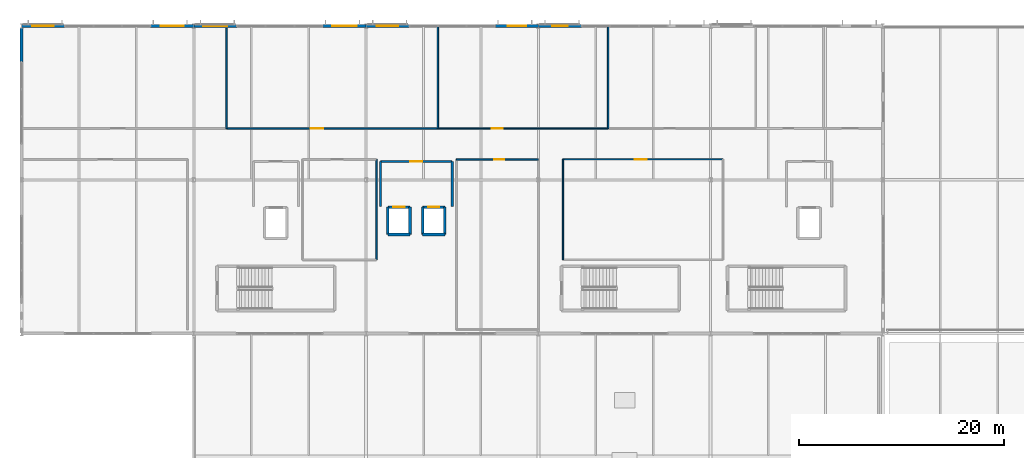
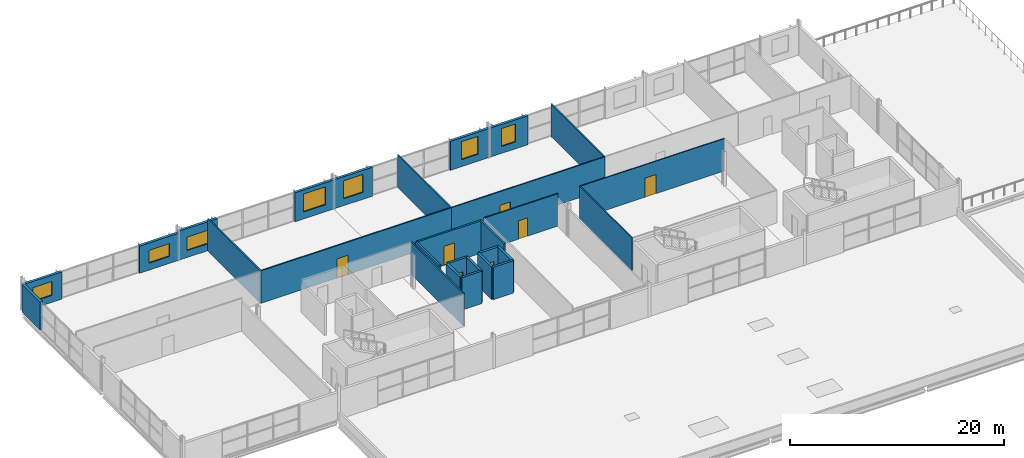
# One storey, part 30 of 36: 28 walls, 7 doors, 7 windows, 14 openings.
"""IFC4 building model written with IfcOpenShell, lengths in metres."""

from ifc_helpers import new_model, si_unit, direction, frame, frame_2d, origin, place, context, subcontext, project, spatial, rectangle, extrude, material, layer, layer_set, type_object, element, fill, save


model = new_model("IFC4")

# Units and contexts
model_context = context("Model", 3, precision=1e-05, world=origin(), true_north=direction((0.0, 1.0)))
body_context = subcontext(model_context, "Body", "Model", "MODEL_VIEW")
ifc_project = project(units=[si_unit("LENGTHUNIT", "METRE"), si_unit("AREAUNIT", "SQUARE_METRE"), si_unit("VOLUMEUNIT", "CUBIC_METRE"), si_unit("PLANEANGLEUNIT", "RADIAN"), si_unit("MASSUNIT", "GRAM", prefix="KILO")], contexts=[model_context])

# Site, building, storey
site_placement = place(None, origin())
site = spatial("IfcSite", under=ifc_project, at=site_placement, CompositionType="ELEMENT")
building_placement = place(site_placement, origin())
building = spatial("IfcBuilding", under=site, at=building_placement, Name="Kimbaza Rail Terminus", CompositionType="ELEMENT")
storey_placement = place(building_placement, frame((0.0, 0.0, 21.0)))
storey = spatial("IfcBuildingStorey", under=building, at=storey_placement, Name="L04", CompositionType="ELEMENT", Elevation=21.0)

# Wall, opening, window
ifc_material_1 = material(Name="Precast concrete C40/50", Category="concrete")
ifc_layer_1 = layer(ifc_material_1, 0.280029296875)
ifc_layer_set_1 = layer_set([ifc_layer_1], Name="Precast concrete C40/50")
wall_type_1 = type_object("IfcWallType", Name="ARC-WL-EXT280", PredefinedType="STANDARD", material=ifc_layer_set_1)
wall_1_placement = place(storey_placement, frame((55.199951171875, 133.0, 0.0), z_axis=(0.0, 0.0, 1.0), x_axis=(1.0, 0.0, 0.0)))
wall_1 = element("IfcWall", 1, at=wall_1_placement, inside=storey, type_object=wall_type_1, Name="Operations North Pier L04 0A", PredefinedType="STANDARD", context=body_context, shape_type="SweptSolid", body=[
    extrude(rectangle(XDim=4.199951171875, YDim=0.280029296875, at=frame_2d((2.10009765625, 0.0))), origin(), (0.0, 0.0, 1.0), 3.10498046875),
])
opening_1_placement = place(wall_1_placement, frame((1.06005859375, 0.0, 0.800048828125)))
opening_1 = element("IfcOpeningElement", 2, at=opening_1_placement, cuts=wall_1, Name="Opening W-44", PredefinedType="OPENING", context=body_context, shape_type="SweptSolid", body=[
    extrude(rectangle(XDim=2.080078125, YDim=1.590087890625, at=frame_2d((1.0400390625, 0.794921875))), frame((0.0, 0.14990234375, 0.0), z_axis=(0.0, -1.0, 0.0), x_axis=(1.0, 0.0, 0.0)), (0.0, 0.0, 1.0), 0.300048828125),
])
ifc_material_2 = material(Name="Thermally broken aluminium and solar low-E glass", Category="aluminium")
window_type_1 = type_object("IfcWindowType", Name="ARC-WIN-W-44", PartitioningType="SINGLE_PANEL", PredefinedType="WINDOW", material=ifc_material_2)
window_1_placement = place(opening_1_placement, origin())
window_1 = element("IfcWindow", 3, at=window_1_placement, inside=storey, type_object=window_type_1, Name="North Facade Window W-44", OverallHeight=1.590087890625, OverallWidth=2.080078125, PartitioningType="SINGLE_PANEL", PredefinedType="WINDOW", context=body_context, shape_type="SweptSolid", body=[
    extrude(rectangle(XDim=2.080078125, YDim=1.590087890625, at=frame_2d((1.0400390625, 0.794921875))), frame((0.0, 0.030029296875, 0.0), z_axis=(0.0, -1.0, 0.0), x_axis=(1.0, 0.0, 0.0)), (0.0, 0.0, 1.0), 0.06005859375),
])
fill(opening_1, window_1)

wall_2_placement = place(storey_placement, frame((67.800048828125, 133.0, 0.0), z_axis=(0.0, 0.0, 1.0), x_axis=(1.0, 0.0, 0.0)))
wall_2 = element("IfcWall", 4, at=wall_2_placement, inside=storey, type_object=wall_type_1, Name="Operations North Pier L04 0B", PredefinedType="STANDARD", context=body_context, shape_type="SweptSolid", body=[
    extrude(rectangle(XDim=4.199951171875, YDim=0.280029296875, at=frame_2d((2.10009765625, 0.0))), origin(), (0.0, 0.0, 1.0), 3.10498046875),
])
opening_2_placement = place(wall_2_placement, frame((0.989990234375, 0.0, 0.800048828125)))
opening_2 = element("IfcOpeningElement", 5, at=opening_2_placement, cuts=wall_2, Name="Opening W-45", PredefinedType="OPENING", context=body_context, shape_type="SweptSolid", body=[
    extrude(rectangle(XDim=2.219970703125, YDim=1.469970703125, at=frame_2d((1.10986328125, 0.73486328125))), frame((0.0, 0.14990234375, 0.0), z_axis=(0.0, -1.0, 0.0), x_axis=(1.0, 0.0, 0.0)), (0.0, 0.0, 1.0), 0.300048828125),
])
ifc_material_3 = material(Name="Thermally broken aluminium and solar low-E glass", Category="aluminium")
window_type_2 = type_object("IfcWindowType", Name="ARC-WIN-W-45", PartitioningType="SINGLE_PANEL", PredefinedType="WINDOW", material=ifc_material_3)
window_2_placement = place(opening_2_placement, origin())
window_2 = element("IfcWindow", 6, at=window_2_placement, inside=storey, type_object=window_type_2, Name="North Facade Window W-45", OverallHeight=1.469970703125, OverallWidth=2.219970703125, PartitioningType="SINGLE_PANEL", PredefinedType="WINDOW", context=body_context, shape_type="SweptSolid", body=[
    extrude(rectangle(XDim=2.219970703125, YDim=1.469970703125, at=frame_2d((1.10986328125, 0.73486328125))), frame((0.0, 0.030029296875, 0.0), z_axis=(0.0, -1.0, 0.0), x_axis=(1.0, 0.0, 0.0)), (0.0, 0.0, 1.0), 0.06005859375),
])
fill(opening_2, window_2)

wall_3_placement = place(storey_placement, frame((72.0, 133.0, 0.0), z_axis=(0.0, 0.0, 1.0), x_axis=(1.0, 0.0, 0.0)))
wall_3 = element("IfcWall", 7, at=wall_3_placement, inside=storey, type_object=wall_type_1, Name="Operations North Pier L04 1A", PredefinedType="STANDARD", context=body_context, shape_type="SweptSolid", body=[
    extrude(rectangle(XDim=4.199951171875, YDim=0.280029296875, at=frame_2d((2.10009765625, 0.0))), origin(), (0.0, 0.0, 1.0), 3.31494140625),
])
opening_3_placement = place(wall_3_placement, frame((0.919921875, 0.0, 0.800048828125)))
opening_3 = element("IfcOpeningElement", 8, at=opening_3_placement, cuts=wall_3, Name="Opening W-46", PredefinedType="OPENING", context=body_context, shape_type="SweptSolid", body=[
    extrude(rectangle(XDim=2.360107421875, YDim=1.530029296875, at=frame_2d((1.18017578125, 0.76513671875))), frame((0.0, 0.14990234375, 0.0), z_axis=(0.0, -1.0, 0.0), x_axis=(1.0, 0.0, 0.0)), (0.0, 0.0, 1.0), 0.300048828125),
])
ifc_material_4 = material(Name="Thermally broken aluminium and solar low-E glass", Category="aluminium")
window_type_3 = type_object("IfcWindowType", Name="ARC-WIN-W-46", PartitioningType="SINGLE_PANEL", PredefinedType="WINDOW", material=ifc_material_4)
window_3_placement = place(opening_3_placement, origin())
window_3 = element("IfcWindow", 9, at=window_3_placement, inside=storey, type_object=window_type_3, Name="North Facade Window W-46", OverallHeight=1.530029296875, OverallWidth=2.360107421875, PartitioningType="SINGLE_PANEL", PredefinedType="WINDOW", context=body_context, shape_type="SweptSolid", body=[
    extrude(rectangle(XDim=2.360107421875, YDim=1.530029296875, at=frame_2d((1.18017578125, 0.76513671875))), frame((0.0, 0.030029296875, 0.0), z_axis=(0.0, -1.0, 0.0), x_axis=(1.0, 0.0, 0.0)), (0.0, 0.0, 1.0), 0.06005859375),
])
fill(opening_3, window_3)

wall_4_placement = place(storey_placement, frame((84.60009765625, 133.0, 0.0), z_axis=(0.0, 0.0, 1.0), x_axis=(1.0, 0.0, 0.0)))
wall_4 = element("IfcWall", 10, at=wall_4_placement, inside=storey, type_object=wall_type_1, Name="Operations North Pier L04 1B", PredefinedType="STANDARD", context=body_context, shape_type="SweptSolid", body=[
    extrude(rectangle(XDim=4.199951171875, YDim=0.280029296875, at=frame_2d((2.10009765625, 0.0))), origin(), (0.0, 0.0, 1.0), 3.31494140625),
])
opening_4_placement = place(wall_4_placement, frame((0.89990234375, 0.0, 0.800048828125)))
opening_4 = element("IfcOpeningElement", 11, at=opening_4_placement, cuts=wall_4, Name="Opening W-01", PredefinedType="OPENING", context=body_context, shape_type="SweptSolid", body=[
    extrude(rectangle(XDim=2.39990234375, YDim=2.050048828125, at=frame_2d((1.199951171875, 1.02490234375))), frame((0.0, 0.14990234375, 0.0), z_axis=(0.0, -1.0, 0.0), x_axis=(1.0, 0.0, 0.0)), (0.0, 0.0, 1.0), 0.300048828125),
])
ifc_material_5 = material(Name="Thermally broken aluminium and solar low-E glass", Category="aluminium")
window_type_4 = type_object("IfcWindowType", Name="ARC-WIN-W-01", PartitioningType="SINGLE_PANEL", PredefinedType="WINDOW", material=ifc_material_5)
window_4_placement = place(opening_4_placement, origin())
window_4 = element("IfcWindow", 12, at=window_4_placement, inside=storey, type_object=window_type_4, Name="North Facade Window W-01", OverallHeight=2.050048828125, OverallWidth=2.39990234375, PartitioningType="SINGLE_PANEL", PredefinedType="WINDOW", context=body_context, shape_type="SweptSolid", body=[
    extrude(rectangle(XDim=2.39990234375, YDim=2.050048828125, at=frame_2d((1.199951171875, 1.02490234375))), frame((0.0, 0.030029296875, 0.0), z_axis=(0.0, -1.0, 0.0), x_axis=(1.0, 0.0, 0.0)), (0.0, 0.0, 1.0), 0.06005859375),
])
fill(opening_4, window_4)

wall_5_placement = place(storey_placement, frame((88.800048828125, 133.0, 0.0), z_axis=(0.0, 0.0, 1.0), x_axis=(1.0, 0.0, 0.0)))
wall_5 = element("IfcWall", 13, at=wall_5_placement, inside=storey, type_object=wall_type_1, Name="Operations North Pier L04 2A", PredefinedType="STANDARD", context=body_context, shape_type="SweptSolid", body=[
    extrude(rectangle(XDim=4.199951171875, YDim=0.280029296875, at=frame_2d((2.10009765625, 0.0))), origin(), (0.0, 0.0, 1.0), 3.31494140625),
])
opening_5_placement = place(wall_5_placement, frame((1.050048828125, 0.0, 0.800048828125)))
opening_5 = element("IfcOpeningElement", 14, at=opening_5_placement, cuts=wall_5, Name="Opening W-02", PredefinedType="OPENING", context=body_context, shape_type="SweptSolid", body=[
    extrude(rectangle(XDim=2.10009765625, YDim=2.050048828125, at=frame_2d((1.050048828125, 1.02490234375))), frame((0.0, 0.14990234375, 0.0), z_axis=(0.0, -1.0, 0.0), x_axis=(1.0, 0.0, 0.0)), (0.0, 0.0, 1.0), 0.300048828125),
])
ifc_material_6 = material(Name="Thermally broken aluminium and solar low-E glass", Category="aluminium")
window_type_5 = type_object("IfcWindowType", Name="ARC-WIN-W-02", PartitioningType="SINGLE_PANEL", PredefinedType="WINDOW", material=ifc_material_6)
window_5_placement = place(opening_5_placement, origin())
window_5 = element("IfcWindow", 15, at=window_5_placement, inside=storey, type_object=window_type_5, Name="North Facade Window W-02", OverallHeight=2.050048828125, OverallWidth=2.10009765625, PartitioningType="SINGLE_PANEL", PredefinedType="WINDOW", context=body_context, shape_type="SweptSolid", body=[
    extrude(rectangle(XDim=2.10009765625, YDim=2.050048828125, at=frame_2d((1.050048828125, 1.02490234375))), frame((0.0, 0.030029296875, 0.0), z_axis=(0.0, -1.0, 0.0), x_axis=(1.0, 0.0, 0.0)), (0.0, 0.0, 1.0), 0.06005859375),
])
fill(opening_5, window_5)

wall_6_placement = place(storey_placement, frame((101.39990234375, 133.0, 0.0), z_axis=(0.0, 0.0, 1.0), x_axis=(1.0, 0.0, 0.0)))
wall_6 = element("IfcWall", 16, at=wall_6_placement, inside=storey, type_object=wall_type_1, Name="Operations North Pier L04 2B", PredefinedType="STANDARD", context=body_context, shape_type="SweptSolid", body=[
    extrude(rectangle(XDim=4.2001953125, YDim=0.280029296875, at=frame_2d((2.10009765625, 0.0))), origin(), (0.0, 0.0, 1.0), 3.31494140625),
])
opening_6_placement = place(wall_6_placement, frame((1.199951171875, 0.0, 0.800048828125)))
opening_6 = element("IfcOpeningElement", 17, at=opening_6_placement, cuts=wall_6, Name="Opening W-03", PredefinedType="OPENING", context=body_context, shape_type="SweptSolid", body=[
    extrude(rectangle(XDim=1.800048828125, YDim=2.050048828125, at=frame_2d((0.89990234375, 1.02490234375))), frame((0.0, 0.14990234375, 0.0), z_axis=(0.0, -1.0, 0.0), x_axis=(1.0, 0.0, 0.0)), (0.0, 0.0, 1.0), 0.300048828125),
])
ifc_material_7 = material(Name="Thermally broken aluminium and solar low-E glass", Category="aluminium")
window_type_6 = type_object("IfcWindowType", Name="ARC-WIN-W-03", PartitioningType="SINGLE_PANEL", PredefinedType="WINDOW", material=ifc_material_7)
window_6_placement = place(opening_6_placement, origin())
window_6 = element("IfcWindow", 18, at=window_6_placement, inside=storey, type_object=window_type_6, Name="North Facade Window W-03", OverallHeight=2.050048828125, OverallWidth=1.800048828125, PartitioningType="SINGLE_PANEL", PredefinedType="WINDOW", context=body_context, shape_type="SweptSolid", body=[
    extrude(rectangle(XDim=1.800048828125, YDim=2.050048828125, at=frame_2d((0.89990234375, 1.02490234375))), frame((0.0, 0.030029296875, 0.0), z_axis=(0.0, -1.0, 0.0), x_axis=(1.0, 0.0, 0.0)), (0.0, 0.0, 1.0), 0.06005859375),
])
fill(opening_6, window_6)

wall_7_placement = place(storey_placement, frame((105.60009765625, 133.0, 0.0), z_axis=(0.0, 0.0, 1.0), x_axis=(1.0, 0.0, 0.0)))
wall_7 = element("IfcWall", 19, at=wall_7_placement, inside=storey, type_object=wall_type_1, Name="Operations North Pier L04 3A", PredefinedType="STANDARD", context=body_context, shape_type="SweptSolid", body=[
    extrude(rectangle(XDim=4.199951171875, YDim=0.280029296875, at=frame_2d((2.10009765625, 0.0))), origin(), (0.0, 0.0, 1.0), 3.31494140625),
])
opening_7_placement = place(wall_7_placement, frame((1.35009765625, 0.0, 0.800048828125)))
opening_7 = element("IfcOpeningElement", 20, at=opening_7_placement, cuts=wall_7, Name="Opening W-04", PredefinedType="OPENING", context=body_context, shape_type="SweptSolid", body=[
    extrude(rectangle(XDim=1.5, YDim=2.050048828125, at=frame_2d((0.75, 1.02490234375))), frame((0.0, 0.14990234375, 0.0), z_axis=(0.0, -1.0, 0.0), x_axis=(1.0, 0.0, 0.0)), (0.0, 0.0, 1.0), 0.300048828125),
])
ifc_material_8 = material(Name="Thermally broken aluminium and solar low-E glass", Category="aluminium")
window_type_7 = type_object("IfcWindowType", Name="ARC-WIN-W-04", PartitioningType="SINGLE_PANEL", PredefinedType="WINDOW", material=ifc_material_8)
window_7_placement = place(opening_7_placement, origin())
window_7 = element("IfcWindow", 21, at=window_7_placement, inside=storey, type_object=window_type_7, Name="North Facade Window W-04", OverallHeight=2.050048828125, OverallWidth=1.5, PartitioningType="SINGLE_PANEL", PredefinedType="WINDOW", context=body_context, shape_type="SweptSolid", body=[
    extrude(rectangle(XDim=1.5, YDim=2.050048828125, at=frame_2d((0.75, 1.02490234375))), frame((0.0, 0.030029296875, 0.0), z_axis=(0.0, -1.0, 0.0), x_axis=(1.0, 0.0, 0.0)), (0.0, 0.0, 1.0), 0.06005859375),
])
fill(opening_7, window_7)

# Walls
wall_8_placement = place(storey_placement, frame((55.199951171875, 129.5, 0.0), z_axis=(0.0, 0.0, 1.0), x_axis=(0.0, 1.0, 0.0)))
element("IfcWall", 22, at=wall_8_placement, inside=storey, type_object=wall_type_1, Name="Operations W Corner Wall L04", PredefinedType="STANDARD", context=body_context, shape_type="SweptSolid", body=[
    extrude(rectangle(XDim=3.360107421875, YDim=0.280029296875, at=frame_2d((1.68017578125, 0.0))), origin(), (0.0, 0.0, 1.0), 3.205078125),
])
ifc_material_9 = material(Name="Concrete blockwork C30/37", Category="masonry")
ifc_layer_2 = layer(ifc_material_9, 0.199951171875)
ifc_layer_set_2 = layer_set([ifc_layer_2], Name="Concrete blockwork C30/37")
wall_type_2 = type_object("IfcWallType", Name="ARC-WL-FIRE200", PredefinedType="PARTITIONING", material=ifc_layer_set_2)
wall_9_placement = place(storey_placement, frame((97.199951171875, 115.39990234375, 0.0), z_axis=(0.0, 0.0, 1.0), x_axis=(0.0, 1.0, 0.0)))
element("IfcWall", 23, at=wall_9_placement, inside=storey, type_object=wall_type_2, Name="Operations Lift Lobby L04 Partition (east)", PredefinedType="PARTITIONING", context=body_context, shape_type="SweptSolid", body=[
    extrude(rectangle(XDim=4.400146484375, YDim=0.199951171875, at=frame_2d((2.2001953125, 0.0))), origin(), (0.0, 0.0, 1.0), 3.7099609375),
])

# Wall, opening, door
wall_10_placement = place(storey_placement, frame((97.199951171875, 119.800048828125, 0.0), z_axis=(0.0, 0.0, 1.0), x_axis=(-1.0, 0.0, 0.0)))
wall_10 = element("IfcWall", 24, at=wall_10_placement, inside=storey, type_object=wall_type_2, Name="Operations Lift Lobby L04 Partition (north)", PredefinedType="PARTITIONING", context=body_context, shape_type="SweptSolid", body=[
    extrude(rectangle(XDim=7.0, YDim=0.199951171875, at=frame_2d((3.5, 0.0))), origin(), (0.0, 0.0, 1.0), 3.7099609375),
])
opening_8_placement = place(wall_10_placement, frame((2.925048828125, 0.0, 0.0)))
opening_8 = element("IfcOpeningElement", 25, at=opening_8_placement, cuts=wall_10, Name="Opening FD-03", PredefinedType="OPENING", context=body_context, shape_type="SweptSolid", body=[
    extrude(rectangle(XDim=1.14990234375, YDim=2.199951171875, at=frame_2d((0.574951171875, 1.10009765625))), frame((0.0, 0.10986328125, 0.0), z_axis=(0.0, -1.0, 0.0), x_axis=(1.0, 0.0, 0.0)), (0.0, 0.0, 1.0), 0.219970703125),
])
ifc_material_10 = material(Name="Firefighting lobby self-closing steel door", Category="steel")
door_type_1 = type_object("IfcDoorType", Name="ARC-DR-FD115", OperationType="NOTDEFINED", PredefinedType="DOOR", material=ifc_material_10)
door_1_placement = place(opening_8_placement, origin())
door_1 = element("IfcDoor", 26, at=door_1_placement, inside=storey, type_object=door_type_1, Name="IDR-SPC-LLOB-V5-L04", OperationType="SINGLE_SWING_RIGHT", OverallHeight=2.199951171875, OverallWidth=1.14990234375, PredefinedType="DOOR", context=body_context, shape_type="SweptSolid", body=[
    extrude(rectangle(XDim=1.14990234375, YDim=2.199951171875, at=frame_2d((0.574951171875, 1.10009765625))), frame((0.0, 0.02490234375, 0.0), z_axis=(0.0, -1.0, 0.0), x_axis=(1.0, 0.0, 0.0)), (0.0, 0.0, 1.0), 0.050048828125),
])
fill(opening_8, door_1)

# Wall
wall_11_placement = place(storey_placement, frame((90.199951171875, 119.800048828125, 0.0), z_axis=(0.0, 0.0, 1.0), x_axis=(0.0, -1.0, 0.0)))
element("IfcWall", 27, at=wall_11_placement, inside=storey, type_object=wall_type_2, Name="Operations Lift Lobby L04 Partition (west)", PredefinedType="PARTITIONING", context=body_context, shape_type="SweptSolid", body=[
    extrude(rectangle(XDim=4.400146484375, YDim=0.199951171875, at=frame_2d((2.2001953125, 0.0))), origin(), (0.0, 0.0, 1.0), 3.7099609375),
])

# Wall, opening, door
ifc_material_11 = material(Name="Moisture-resistant stud wall", Category="gypsum")
ifc_layer_3 = layer(ifc_material_11, 0.1201171875)
ifc_layer_set_3 = layer_set([ifc_layer_3], Name="Moisture-resistant stud wall")
wall_type_3 = type_object("IfcWallType", Name="ARC-WL-PART120", PredefinedType="PARTITIONING", material=ifc_layer_set_3)
wall_12_placement = place(storey_placement, frame((123.60009765625, 120.0, 0.0), z_axis=(0.0, 0.0, 1.0), x_axis=(-1.0, 0.0, 0.0)))
wall_12 = element("IfcWall", 28, at=wall_12_placement, inside=storey, type_object=wall_type_3, Name="L04 Rolling Stock Rostering Studio Partition (north)", PredefinedType="PARTITIONING", context=body_context, shape_type="SweptSolid", body=[
    extrude(rectangle(XDim=15.60009765625, YDim=0.1201171875, at=frame_2d((7.800048828125, 0.0))), origin(), (0.0, 0.0, 1.0), 3.7099609375),
])
opening_9_placement = place(wall_12_placement, frame((7.409912109375, 0.0, 0.0)))
opening_9 = element("IfcOpeningElement", 29, at=opening_9_placement, cuts=wall_12, Name="Opening ID-11", PredefinedType="OPENING", context=body_context, shape_type="SweptSolid", body=[
    extrude(rectangle(XDim=1.179931640625, YDim=2.179931640625, at=frame_2d((0.58984375, 1.08984375))), frame((0.0, 0.070068359375, 0.0), z_axis=(0.0, -1.0, 0.0), x_axis=(1.0, 0.0, 0.0)), (0.0, 0.0, 1.0), 0.14013671875),
])
ifc_material_12 = material(Name="Broadcast studio acoustic door", Category="wood")
door_type_2 = type_object("IfcDoorType", Name="ARC-DR-ID118", OperationType="NOTDEFINED", PredefinedType="DOOR", material=ifc_material_12)
door_2_placement = place(opening_9_placement, origin())
door_2 = element("IfcDoor", 30, at=door_2_placement, inside=storey, type_object=door_type_2, Name="IDR-SPC-V5S-L04-4", OperationType="SINGLE_SWING_RIGHT", OverallHeight=2.179931640625, OverallWidth=1.179931640625, PredefinedType="DOOR", context=body_context, shape_type="SweptSolid", body=[
    extrude(rectangle(XDim=1.179931640625, YDim=2.179931640625, at=frame_2d((0.58984375, 1.08984375))), frame((0.0, 0.02490234375, 0.0), z_axis=(0.0, -1.0, 0.0), x_axis=(1.0, 0.0, 0.0)), (0.0, 0.0, 1.0), 0.050048828125),
])
fill(opening_9, door_2)

# Wall
wall_13_placement = place(storey_placement, frame((108.0, 120.0, 0.0), z_axis=(0.0, 0.0, 1.0), x_axis=(0.0, -1.0, 0.0)))
element("IfcWall", 31, at=wall_13_placement, inside=storey, type_object=wall_type_3, Name="L04 Rolling Stock Rostering Studio Partition (west)", PredefinedType="PARTITIONING", context=body_context, shape_type="SweptSolid", body=[
    extrude(rectangle(XDim=9.800048828125, YDim=0.1201171875, at=frame_2d((4.89990234375, 0.0))), origin(), (0.0, 0.0, 1.0), 3.7099609375),
])

# Wall, opening, door
ifc_material_13 = material(Name="Acoustic gypsum stud partition", Category="gypsum")
ifc_layer_4 = layer(ifc_material_13, 0.1298828125)
ifc_layer_set_4 = layer_set([ifc_layer_4], Name="Acoustic gypsum stud partition")
wall_type_4 = type_object("IfcWallType", Name="ARC-WL-PART130", PredefinedType="PARTITIONING", material=ifc_layer_set_4)
wall_14_placement = place(storey_placement, frame((95.800048828125, 123.0, 0.0), z_axis=(0.0, 0.0, 1.0), x_axis=(1.0, 0.0, 0.0)))
wall_14 = element("IfcWall", 32, at=wall_14_placement, inside=storey, type_object=wall_type_4, Name="Signalling Simulator Laboratory Partition (south)", PredefinedType="PARTITIONING", context=body_context, shape_type="SweptSolid", body=[
    extrude(rectangle(XDim=16.599853515625, YDim=0.1298828125, at=frame_2d((8.2998046875, 0.0))), origin(), (0.0, 0.0, 1.0), 3.7099609375),
])
opening_10_placement = place(wall_14_placement, frame((6.35009765625, 0.0, 0.0), z_axis=(0.0, 0.0, 1.0), x_axis=(-1.0, 0.0, 0.0)))
opening_10 = element("IfcOpeningElement", 33, at=opening_10_placement, cuts=wall_14, Name="Opening ID-04", PredefinedType="OPENING", context=body_context, shape_type="SweptSolid", body=[
    extrude(rectangle(XDim=1.10009765625, YDim=2.14990234375, at=frame_2d((0.550048828125, 1.074951171875))), frame((0.0, 0.074951171875, 0.0), z_axis=(0.0, -1.0, 0.0), x_axis=(1.0, 0.0, 0.0)), (0.0, 0.0, 1.0), 0.14990234375),
])
ifc_material_14 = material(Name="Hardwood veneer acoustic office door", Category="wood")
door_type_3 = type_object("IfcDoorType", Name="ARC-DR-ID110", OperationType="NOTDEFINED", PredefinedType="DOOR", material=ifc_material_14)
door_3_placement = place(opening_10_placement, origin())
door_3 = element("IfcDoor", 34, at=door_3_placement, inside=storey, type_object=door_type_3, Name="IDR-SPC-V5N-L04-03", OperationType="SINGLE_SWING_LEFT", OverallHeight=2.14990234375, OverallWidth=1.10009765625, PredefinedType="DOOR", context=body_context, shape_type="SweptSolid", body=[
    extrude(rectangle(XDim=1.10009765625, YDim=2.14990234375, at=frame_2d((0.550048828125, 1.074951171875))), frame((0.0, 0.02490234375, 0.0), z_axis=(0.0, -1.0, 0.0), x_axis=(1.0, 0.0, 0.0)), (0.0, 0.0, 1.0), 0.050048828125),
])
fill(opening_10, door_3)

# Wall
wall_15_placement = place(storey_placement, frame((112.39990234375, 123.0, 0.0), z_axis=(0.0, 0.0, 1.0), x_axis=(0.0, 1.0, 0.0)))
element("IfcWall", 35, at=wall_15_placement, inside=storey, type_object=wall_type_4, Name="Signalling Simulator Laboratory Partition (east)", PredefinedType="PARTITIONING", context=body_context, shape_type="SweptSolid", body=[
    extrude(rectangle(XDim=9.97998046875, YDim=0.1298828125, at=frame_2d((4.989990234375, 0.0))), origin(), (0.0, 0.0, 1.0), 3.7099609375),
])

# Wall, opening, door
wall_16_placement = place(storey_placement, frame((105.60009765625, 120.0, 0.0), z_axis=(0.0, 0.0, 1.0), x_axis=(-1.0, 0.0, 0.0)))
wall_16 = element("IfcWall", 36, at=wall_16_placement, inside=storey, type_object=wall_type_4, Name="L04 Network Dispatch Briefing Room Partition (north)", PredefinedType="PARTITIONING", context=body_context, shape_type="SweptSolid", body=[
    extrude(rectangle(XDim=8.0, YDim=0.1298828125, at=frame_2d((4.0, 0.0))), origin(), (0.0, 0.0, 1.0), 3.7099609375),
])
opening_11_placement = place(wall_16_placement, frame((4.2900390625, 0.0, 0.0), z_axis=(0.0, 0.0, 1.0), x_axis=(-1.0, 0.0, 0.0)))
opening_11 = element("IfcOpeningElement", 37, at=opening_11_placement, cuts=wall_16, Name="Opening ID-10", PredefinedType="OPENING", context=body_context, shape_type="SweptSolid", body=[
    extrude(rectangle(XDim=0.97998046875, YDim=2.10009765625, at=frame_2d((0.489990234375, 1.050048828125))), frame((0.0, 0.074951171875, 0.0), z_axis=(0.0, -1.0, 0.0), x_axis=(1.0, 0.0, 0.0)), (0.0, 0.0, 1.0), 0.14990234375),
])
ifc_material_15 = material(Name="Washroom suite privacy door", Category="wood")
door_type_4 = type_object("IfcDoorType", Name="ARC-DR-ID098", OperationType="NOTDEFINED", PredefinedType="DOOR", material=ifc_material_15)
door_4_placement = place(opening_11_placement, origin())
door_4 = element("IfcDoor", 38, at=door_4_placement, inside=storey, type_object=door_type_4, Name="IDR-SPC-V5S-L04-3", OperationType="SINGLE_SWING_LEFT", OverallHeight=2.10009765625, OverallWidth=0.97998046875, PredefinedType="DOOR", context=body_context, shape_type="SweptSolid", body=[
    extrude(rectangle(XDim=0.97998046875, YDim=2.10009765625, at=frame_2d((0.489990234375, 1.050048828125))), frame((0.0, 0.02490234375, 0.0), z_axis=(0.0, -1.0, 0.0), x_axis=(1.0, 0.0, 0.0)), (0.0, 0.0, 1.0), 0.050048828125),
])
fill(opening_11, door_4)

ifc_material_16 = material(Name="Acoustic gypsum stud partition", Category="gypsum")
ifc_layer_5 = layer(ifc_material_16, 0.139892578125)
ifc_layer_set_5 = layer_set([ifc_layer_5], Name="Acoustic gypsum stud partition")
wall_type_5 = type_object("IfcWallType", Name="ARC-WL-PART140", PredefinedType="PARTITIONING", material=ifc_layer_set_5)
wall_17_placement = place(storey_placement, frame((75.199951171875, 123.0, 0.0), z_axis=(0.0, 0.0, 1.0), x_axis=(1.0, 0.0, 0.0)))
wall_17 = element("IfcWall", 39, at=wall_17_placement, inside=storey, type_object=wall_type_5, Name="Permanent Way Engineering Studio Partition (south)", PredefinedType="PARTITIONING", context=body_context, shape_type="SweptSolid", body=[
    extrude(rectangle(XDim=20.60009765625, YDim=0.139892578125, at=frame_2d((10.300048828125, 0.0))), origin(), (0.0, 0.0, 1.0), 3.7099609375),
])
opening_12_placement = place(wall_17_placement, frame((8.199951171875, 0.0, 0.0)))
opening_12 = element("IfcOpeningElement", 40, at=opening_12_placement, cuts=wall_17, Name="Opening ID-03", PredefinedType="OPENING", context=body_context, shape_type="SweptSolid", body=[
    extrude(rectangle(XDim=1.199951171875, YDim=2.199951171875, at=frame_2d((0.60009765625, 1.10009765625))), frame((0.0, 0.079833984375, 0.0), z_axis=(0.0, -1.0, 0.0), x_axis=(1.0, 0.0, 0.0)), (0.0, 0.0, 1.0), 0.159912109375),
])
ifc_material_17 = material(Name="Hardwood veneer acoustic room door", Category="wood")
door_type_5 = type_object("IfcDoorType", Name="ARC-DR-ID120", OperationType="NOTDEFINED", PredefinedType="DOOR", material=ifc_material_17)
door_5_placement = place(opening_12_placement, origin())
door_5 = element("IfcDoor", 41, at=door_5_placement, inside=storey, type_object=door_type_5, Name="IDR-SPC-V5N-L04-02", OperationType="SINGLE_SWING_RIGHT", OverallHeight=2.199951171875, OverallWidth=1.199951171875, PredefinedType="DOOR", context=body_context, shape_type="SweptSolid", body=[
    extrude(rectangle(XDim=1.199951171875, YDim=2.199951171875, at=frame_2d((0.60009765625, 1.10009765625))), frame((0.0, 0.02490234375, 0.0), z_axis=(0.0, -1.0, 0.0), x_axis=(1.0, 0.0, 0.0)), (0.0, 0.0, 1.0), 0.050048828125),
])
fill(opening_12, door_5)

# Walls
wall_18_placement = place(storey_placement, frame((95.800048828125, 123.0, 0.0), z_axis=(0.0, 0.0, 1.0), x_axis=(0.0, 1.0, 0.0)))
element("IfcWall", 42, at=wall_18_placement, inside=storey, type_object=wall_type_5, Name="Permanent Way Engineering Studio Partition (east)", PredefinedType="PARTITIONING", context=body_context, shape_type="SweptSolid", body=[
    extrude(rectangle(XDim=9.97998046875, YDim=0.139892578125, at=frame_2d((4.989990234375, 0.0))), origin(), (0.0, 0.0, 1.0), 3.7099609375),
])
wall_19_placement = place(storey_placement, frame((89.800048828125, 110.199951171875, 0.0), z_axis=(0.0, 0.0, 1.0), x_axis=(0.0, 1.0, 0.0)))
element("IfcWall", 43, at=wall_19_placement, inside=storey, type_object=wall_type_5, Name="L04 Traction Metering Workshop Partition (east)", PredefinedType="PARTITIONING", context=body_context, shape_type="SweptSolid", body=[
    extrude(rectangle(XDim=9.800048828125, YDim=0.139892578125, at=frame_2d((4.89990234375, 0.0))), origin(), (0.0, 0.0, 1.0), 3.7099609375),
])
ifc_material_18 = material(Name="Acoustic gypsum stud partition", Category="gypsum")
ifc_layer_6 = layer(ifc_material_18, 0.14990234375)
ifc_layer_set_6 = layer_set([ifc_layer_6], Name="Acoustic gypsum stud partition")
wall_type_6 = type_object("IfcWallType", Name="ARC-WL-PART150", PredefinedType="PARTITIONING", material=ifc_layer_set_6)
wall_20_placement = place(storey_placement, frame((75.199951171875, 123.0, 0.0), z_axis=(0.0, 0.0, 1.0), x_axis=(0.0, 1.0, 0.0)))
element("IfcWall", 44, at=wall_20_placement, inside=storey, type_object=wall_type_6, Name="National Timetable Planning Studio Partition (east)", PredefinedType="PARTITIONING", context=body_context, shape_type="SweptSolid", body=[
    extrude(rectangle(XDim=9.800048828125, YDim=0.14990234375, at=frame_2d((4.89990234375, 0.0))), origin(), (0.0, 0.0, 1.0), 3.7099609375),
])
ifc_material_19 = material(Name="Concrete C40/50", Category="concrete")
ifc_layer_7 = layer(ifc_material_19, 0.25)
ifc_layer_set_7 = layer_set([ifc_layer_7], Name="Concrete C40/50")
wall_type_7 = type_object("IfcWallType", Name="STR-WL-CORE250", PredefinedType="SHEAR", material=ifc_layer_set_7)
wall_21_placement = place(storey_placement, frame((90.919921875, 112.669921875, 0.0), z_axis=(0.0, 0.0, 1.0), x_axis=(1.0, 0.0, 0.0)))
element("IfcWall", 45, at=wall_21_placement, inside=storey, type_object=wall_type_7, Name="Lift Shaft Wall LP-08 L04-1", PredefinedType="SHEAR", context=body_context, shape_type="SweptSolid", body=[
    extrude(rectangle(XDim=2.16015625, YDim=0.25, at=frame_2d((1.080078125, 0.0))), origin(), (0.0, 0.0, 1.0), 3.7099609375),
])
wall_22_placement = place(storey_placement, frame((93.080078125, 112.669921875, 0.0), z_axis=(0.0, 0.0, 1.0), x_axis=(0.0, 1.0, 0.0)))
element("IfcWall", 46, at=wall_22_placement, inside=storey, type_object=wall_type_7, Name="Lift Shaft Wall LP-08 L04-2", PredefinedType="SHEAR", context=body_context, shape_type="SweptSolid", body=[
    extrude(rectangle(XDim=2.66015625, YDim=0.25, at=frame_2d((1.330078125, 0.0))), origin(), (0.0, 0.0, 1.0), 3.7099609375),
])

# Wall, opening, door
wall_23_placement = place(storey_placement, frame((93.080078125, 115.330078125, 0.0), z_axis=(0.0, 0.0, 1.0), x_axis=(-1.0, 0.0, 0.0)))
wall_23 = element("IfcWall", 47, at=wall_23_placement, inside=storey, type_object=wall_type_7, Name="Lift Shaft Wall LP-08 L04-3", PredefinedType="SHEAR", context=body_context, shape_type="SweptSolid", body=[
    extrude(rectangle(XDim=2.16015625, YDim=0.25, at=frame_2d((1.080078125, 0.0))), origin(), (0.0, 0.0, 1.0), 3.7099609375),
])
opening_13_placement = place(wall_23_placement, frame((0.530029296875, 0.0, 0.0)))
opening_13 = element("IfcOpeningElement", 48, at=opening_13_placement, cuts=wall_23, Name="Opening LD-01", PredefinedType="OPENING", context=body_context, shape_type="SweptSolid", body=[
    extrude(rectangle(XDim=1.10009765625, YDim=2.199951171875, at=frame_2d((0.550048828125, 1.10009765625))), frame((0.0, 0.135009765625, 0.0), z_axis=(0.0, -1.0, 0.0), x_axis=(1.0, 0.0, 0.0)), (0.0, 0.0, 1.0), 0.27001953125),
])
ifc_material_20 = material(Name="Brushed stainless steel sliding landing door", Category="steel")
door_type_6 = type_object("IfcDoorType", Name="ARC-DR-LD110", OperationType="NOTDEFINED", PredefinedType="DOOR", material=ifc_material_20)
door_6_placement = place(opening_13_placement, origin())
door_6 = element("IfcDoor", 49, at=door_6_placement, inside=storey, type_object=door_type_6, Name="LDR-LP-08-L04", OperationType="SLIDING_TO_RIGHT", OverallHeight=2.199951171875, OverallWidth=1.10009765625, PredefinedType="DOOR", context=body_context, shape_type="SweptSolid", body=[
    extrude(rectangle(XDim=1.10009765625, YDim=2.199951171875, at=frame_2d((0.550048828125, 1.10009765625))), frame((0.0, 0.02490234375, 0.0), z_axis=(0.0, -1.0, 0.0), x_axis=(1.0, 0.0, 0.0)), (0.0, 0.0, 1.0), 0.050048828125),
])
fill(opening_13, door_6)

# Walls
wall_24_placement = place(storey_placement, frame((90.919921875, 115.330078125, 0.0), z_axis=(0.0, 0.0, 1.0), x_axis=(0.0, -1.0, 0.0)))
element("IfcWall", 50, at=wall_24_placement, inside=storey, type_object=wall_type_7, Name="Lift Shaft Wall LP-08 L04-4", PredefinedType="SHEAR", context=body_context, shape_type="SweptSolid", body=[
    extrude(rectangle(XDim=2.66015625, YDim=0.25, at=frame_2d((1.330078125, 0.0))), origin(), (0.0, 0.0, 1.0), 3.7099609375),
])
wall_25_placement = place(storey_placement, frame((94.320068359375, 112.669921875, 0.0), z_axis=(0.0, 0.0, 1.0), x_axis=(1.0, 0.0, 0.0)))
element("IfcWall", 51, at=wall_25_placement, inside=storey, type_object=wall_type_7, Name="Lift Shaft Wall LP-09 L04-1", PredefinedType="SHEAR", context=body_context, shape_type="SweptSolid", body=[
    extrude(rectangle(XDim=2.159912109375, YDim=0.25, at=frame_2d((1.080078125, 0.0))), origin(), (0.0, 0.0, 1.0), 3.7099609375),
])
wall_26_placement = place(storey_placement, frame((96.47998046875, 112.669921875, 0.0), z_axis=(0.0, 0.0, 1.0), x_axis=(0.0, 1.0, 0.0)))
element("IfcWall", 52, at=wall_26_placement, inside=storey, type_object=wall_type_7, Name="Lift Shaft Wall LP-09 L04-2", PredefinedType="SHEAR", context=body_context, shape_type="SweptSolid", body=[
    extrude(rectangle(XDim=2.66015625, YDim=0.25, at=frame_2d((1.330078125, 0.0))), origin(), (0.0, 0.0, 1.0), 3.7099609375),
])

# Wall, opening, door
wall_27_placement = place(storey_placement, frame((96.47998046875, 115.330078125, 0.0), z_axis=(0.0, 0.0, 1.0), x_axis=(-1.0, 0.0, 0.0)))
wall_27 = element("IfcWall", 53, at=wall_27_placement, inside=storey, type_object=wall_type_7, Name="Lift Shaft Wall LP-09 L04-3", PredefinedType="SHEAR", context=body_context, shape_type="SweptSolid", body=[
    extrude(rectangle(XDim=2.159912109375, YDim=0.25, at=frame_2d((1.080078125, 0.0))), origin(), (0.0, 0.0, 1.0), 3.7099609375),
])
opening_14_placement = place(wall_27_placement, frame((0.530029296875, 0.0, 0.0)))
opening_14 = element("IfcOpeningElement", 54, at=opening_14_placement, cuts=wall_27, Name="Opening LD-01", PredefinedType="OPENING", context=body_context, shape_type="SweptSolid", body=[
    extrude(rectangle(XDim=1.10009765625, YDim=2.199951171875, at=frame_2d((0.550048828125, 1.10009765625))), frame((0.0, 0.135009765625, 0.0), z_axis=(0.0, -1.0, 0.0), x_axis=(1.0, 0.0, 0.0)), (0.0, 0.0, 1.0), 0.27001953125),
])
door_7_placement = place(opening_14_placement, origin())
door_7 = element("IfcDoor", 55, at=door_7_placement, inside=storey, type_object=door_type_6, Name="LDR-LP-09-L04", OperationType="SLIDING_TO_RIGHT", OverallHeight=2.199951171875, OverallWidth=1.10009765625, PredefinedType="DOOR", context=body_context, shape_type="SweptSolid", body=[
    extrude(rectangle(XDim=1.10009765625, YDim=2.199951171875, at=frame_2d((0.550048828125, 1.10009765625))), frame((0.0, 0.02490234375, 0.0), z_axis=(0.0, -1.0, 0.0), x_axis=(1.0, 0.0, 0.0)), (0.0, 0.0, 1.0), 0.050048828125),
])
fill(opening_14, door_7)

# Wall
wall_28_placement = place(storey_placement, frame((94.320068359375, 115.330078125, 0.0), z_axis=(0.0, 0.0, 1.0), x_axis=(0.0, -1.0, 0.0)))
element("IfcWall", 56, at=wall_28_placement, inside=storey, type_object=wall_type_7, Name="Lift Shaft Wall LP-09 L04-4", PredefinedType="SHEAR", context=body_context, shape_type="SweptSolid", body=[
    extrude(rectangle(XDim=2.66015625, YDim=0.25, at=frame_2d((1.330078125, 0.0))), origin(), (0.0, 0.0, 1.0), 3.7099609375),
])

save(model, "model.ifc")
